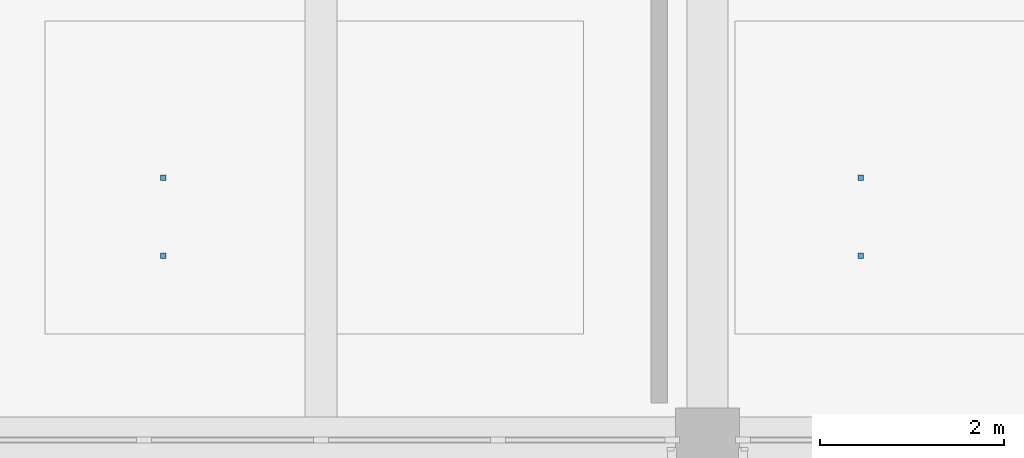
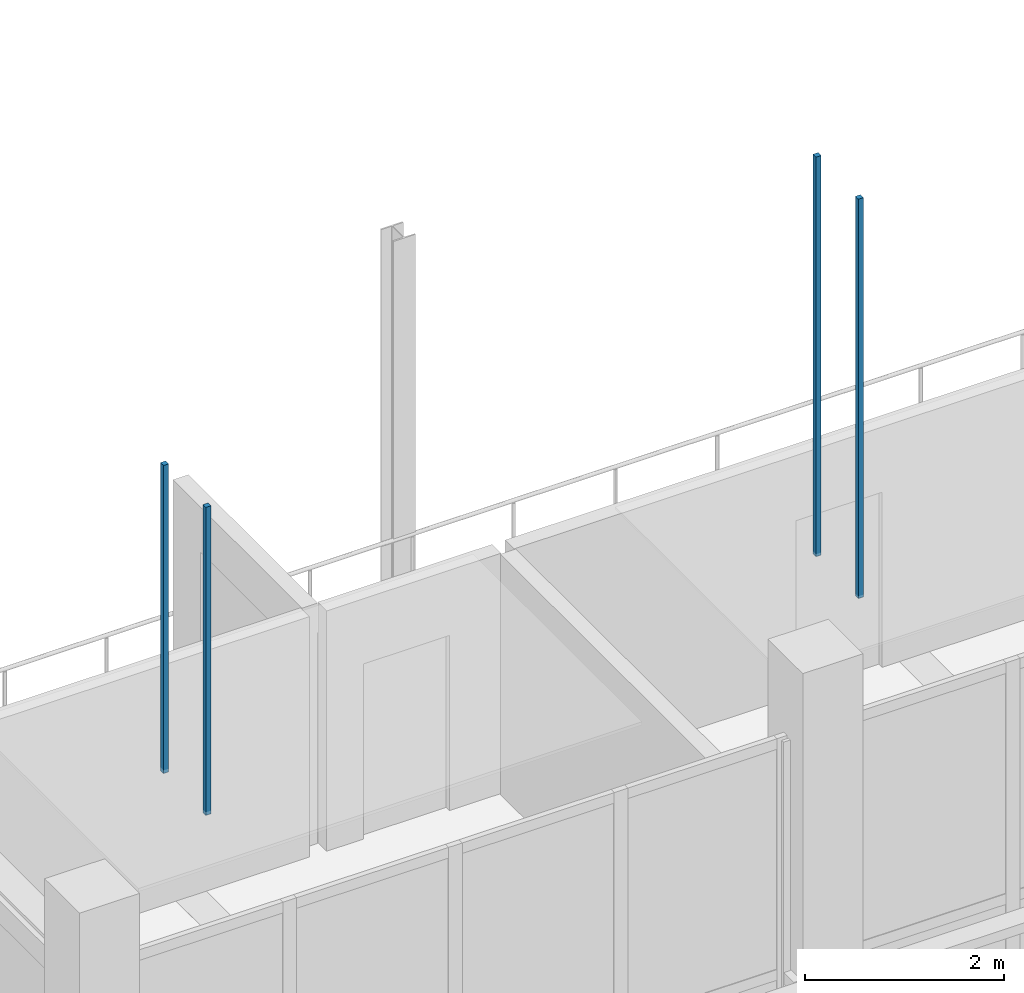
# One storey, part 67 of 128: 4 discrete accessories.
"""IFC4 building model written with IfcOpenShell, lengths in metres."""

from ifc_helpers import new_model, si_unit, direction, frame, origin, origin_2d, place, context, subcontext, project, spatial, rectangle, extrude, material, type_object, element, save


model = new_model("IFC4")

# Units and contexts
model_context = context("Model", 3, precision=1e-05, world=origin(), true_north=direction((0.0, 1.0)))
body_context = subcontext(model_context, "Body", "Model", "MODEL_VIEW")
ifc_project = project(units=[si_unit("LENGTHUNIT", "METRE"), si_unit("AREAUNIT", "SQUARE_METRE"), si_unit("VOLUMEUNIT", "CUBIC_METRE"), si_unit("PLANEANGLEUNIT", "RADIAN"), si_unit("MASSUNIT", "GRAM", prefix="KILO")], contexts=[model_context])

# Site, building, storey
site_placement = place(None, origin())
site = spatial("IfcSite", under=ifc_project, at=site_placement, CompositionType="ELEMENT")
building_placement = place(site_placement, origin())
building = spatial("IfcBuilding", under=site, at=building_placement, Name="Telukmera Botanical Conservatory", CompositionType="ELEMENT")
storey_placement = place(building_placement, frame((0.0, 0.0, 5.39990234375)))
storey = spatial("IfcBuildingStorey", under=building, at=storey_placement, Name="L01", CompositionType="ELEMENT", Elevation=5.39990234375)

# Discrete accessories
ifc_material = material(Name="Steel S355", Category="steel")
discrete_accessory_type = type_object("IfcDiscreteAccessoryType", Name="ACC-CEIL-HGR", PredefinedType="BRACKET", material=ifc_material)
for number, where, z_axis, x_axis, name in (
    (1, (10.886962890625, 85.199951171875, 3.610107421875), (0.0, 0.0, 1.0), (1.0, 0.0, 0.0), "L01 Suspended Ceiling Hanger Rod 038-1"),
    (2, (10.886962890625, 86.050048828125, 3.610107421875), (0.0, 0.0, 1.0), (1.0, 0.0, 0.0), "L01 Suspended Ceiling Hanger Rod 038-2"),
):
    element("IfcDiscreteAccessory", number, at=place(storey_placement, frame(where, z_axis=z_axis, x_axis=x_axis)), inside=storey, type_object=discrete_accessory_type, Name=name, PredefinedType="BRACKET", context=body_context, shape_type="SweptSolid", body=[
        extrude(rectangle(XDim=0.06005859375, YDim=0.06005859375, at=origin_2d()), origin(), (0.0, 0.0, 1.0), 3.78173828125),
    ])
for number, where, z_axis, x_axis, name in (
    (3, (18.464111328125, 85.199951171875, 3.6201171875), (0.0, 0.0, 1.0), (1.0, 0.0, 0.0), "L01 Suspended Ceiling Hanger Rod 039-1"),
    (4, (18.464111328125, 86.050048828125, 3.6201171875), (0.0, 0.0, 1.0), (1.0, 0.0, 0.0), "L01 Suspended Ceiling Hanger Rod 039-2"),
):
    element("IfcDiscreteAccessory", number, at=place(storey_placement, frame(where, z_axis=z_axis, x_axis=x_axis)), inside=storey, type_object=discrete_accessory_type, Name=name, PredefinedType="BRACKET", context=body_context, shape_type="SweptSolid", body=[
        extrude(rectangle(XDim=0.06005859375, YDim=0.06005859375, at=origin_2d()), origin(), (0.0, 0.0, 1.0), 4.904052734375),
    ])

save(model, "model.ifc")
